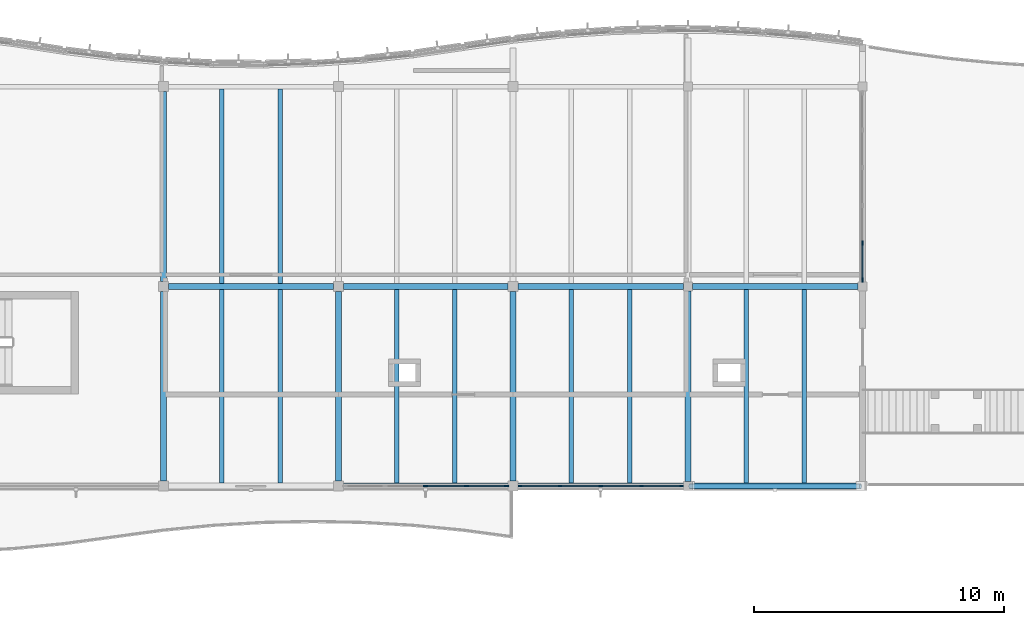
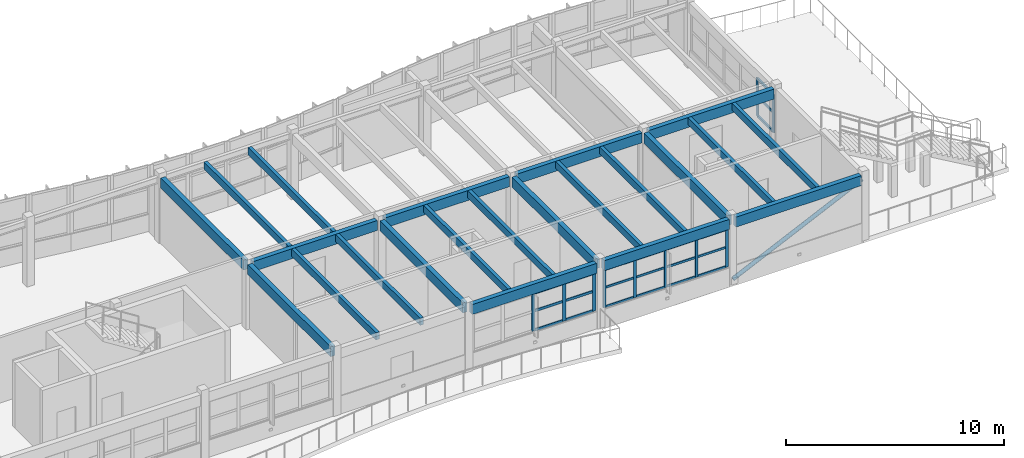
# One storey, part 18 of 52: 32 members, 22 beams, 3 elements without a shape of their own.
"""IFC4 building model written with IfcOpenShell, lengths in metres."""

from ifc_helpers import new_model, si_unit, direction, frame, origin, origin_2d, place, context, subcontext, project, spatial, rectangle, hollow_circle, extrude, material, layer, layer_set, material_profile, profile_set, type_object, element, aggregate, save


model = new_model("IFC4")

# Units and contexts
model_context = context("Model", 3, precision=1e-05, world=origin(), true_north=direction((0.0, 1.0)))
body_context = subcontext(model_context, "Body", "Model", "MODEL_VIEW")
ifc_project = project(units=[si_unit("LENGTHUNIT", "METRE"), si_unit("AREAUNIT", "SQUARE_METRE"), si_unit("VOLUMEUNIT", "CUBIC_METRE"), si_unit("PLANEANGLEUNIT", "RADIAN"), si_unit("MASSUNIT", "GRAM", prefix="KILO")], contexts=[model_context])

# Site, building, storey
site_placement = place(None, origin())
site = spatial("IfcSite", under=ifc_project, at=site_placement, CompositionType="ELEMENT")
building_placement = place(site_placement, origin())
building = spatial("IfcBuilding", under=site, at=building_placement, Name="Tonlespit Floodbar School", CompositionType="ELEMENT")
storey_placement = place(building_placement, frame((0.0, 0.0, 12.300048828125)))
storey = spatial("IfcBuildingStorey", under=building, at=storey_placement, Name="L03", CompositionType="ELEMENT", Elevation=12.300048828125)

# Beams
ifc_material_1 = material(Name="Glulam GL28h", Category="wood")
ifc_material_profile_1 = material_profile(ifc_material_1, rectangle(XDim=0.239990234375, YDim=0.56005859375, at=origin_2d()), Name="GL 240x560")
ifc_profile_set_1 = profile_set([ifc_material_profile_1], Name="Glulam GL28h")
beam_type_1 = type_object("IfcBeamType", Name="Beam_GL_240x560", PredefinedType="BEAM", material=ifc_profile_set_1)
beam_1_placement = place(storey_placement, frame((141.199951171875, 104.0, 3.364990234375), z_axis=(1.0, 0.0, 0.0), x_axis=(0.0, 1.0, 0.0)))
element("IfcBeam", 1, at=beam_1_placement, inside=storey, type_object=beam_type_1, Name="L03 girder 1178", PredefinedType="BEAM", context=body_context, shape_type="SweptSolid", body=[
    extrude(rectangle(XDim=0.239990234375, YDim=0.56005859375, at=origin_2d()), origin(), (0.0, 0.0, 1.0), 6.60009765625),
])
beam_2_placement = place(storey_placement, frame((148.199951171875, 104.0, 3.367919921875), z_axis=(1.0, 0.0, 0.0), x_axis=(0.0, 1.0, 0.0)))
element("IfcBeam", 2, at=beam_2_placement, inside=storey, type_object=beam_type_1, Name="L03 girder 1179", PredefinedType="BEAM", context=body_context, shape_type="SweptSolid", body=[
    extrude(rectangle(XDim=0.239990234375, YDim=0.56005859375, at=origin_2d()), origin(), (0.0, 0.0, 1.0), 6.6201171875),
])
beam_3_placement = place(storey_placement, frame((155.179931640625, 104.0, 3.367919921875), z_axis=(1.0, 0.0, 0.0), x_axis=(0.0, 1.0, 0.0)))
element("IfcBeam", 3, at=beam_3_placement, inside=storey, type_object=beam_type_1, Name="L03 girder 1180", PredefinedType="BEAM", context=body_context, shape_type="SweptSolid", body=[
    extrude(rectangle(XDim=0.239990234375, YDim=0.56005859375, at=origin_2d()), origin(), (0.0, 0.0, 1.0), 6.64013671875),
])
for number, where, z_axis, x_axis, name in (
    (4, (134.199951171875, 112.0, 3.364990234375), (1.0, 0.0, 0.0), (0.0, 1.0, 0.0), "L03 girder 1185"),
    (5, (141.199951171875, 112.0, 3.364990234375), (1.0, 0.0, 0.0), (0.0, 1.0, 0.0), "L03 girder 1186"),
):
    element("IfcBeam", number, at=place(storey_placement, frame(where, z_axis=z_axis, x_axis=x_axis)), inside=storey, type_object=beam_type_1, Name=name, PredefinedType="BEAM", context=body_context, shape_type="SweptSolid", body=[
        extrude(rectangle(XDim=0.239990234375, YDim=0.56005859375, at=origin_2d()), origin(), (0.0, 0.0, 1.0), 6.60009765625),
    ])
beam_4_placement = place(storey_placement, frame((148.199951171875, 112.0, 3.367919921875), z_axis=(1.0, 0.0, 0.0), x_axis=(0.0, 1.0, 0.0)))
element("IfcBeam", 6, at=beam_4_placement, inside=storey, type_object=beam_type_1, Name="L03 girder 1187", PredefinedType="BEAM", context=body_context, shape_type="SweptSolid", body=[
    extrude(rectangle(XDim=0.239990234375, YDim=0.56005859375, at=origin_2d()), origin(), (0.0, 0.0, 1.0), 6.6201171875),
])
beam_5_placement = place(storey_placement, frame((155.179931640625, 112.0, 3.367919921875), z_axis=(1.0, 0.0, 0.0), x_axis=(0.0, 1.0, 0.0)))
element("IfcBeam", 7, at=beam_5_placement, inside=storey, type_object=beam_type_1, Name="L03 girder 1188", PredefinedType="BEAM", context=body_context, shape_type="SweptSolid", body=[
    extrude(rectangle(XDim=0.239990234375, YDim=0.56005859375, at=origin_2d()), origin(), (0.0, 0.0, 1.0), 6.64013671875),
])
for number, where, z_axis, x_axis, name in (
    (8, (134.0, 104.199951171875, 3.364990234375), (0.0, 1.0, 0.0), (-1.0, 0.0, 0.0), "L03 girder 1234"),
    (9, (134.0, 112.199951171875, 3.364990234375), (0.0, 1.0, 0.0), (-1.0, 0.0, 0.0), "L03 girder 1235"),
    (10, (141.0, 104.199951171875, 3.364990234375), (0.0, 1.0, 0.0), (-1.0, 0.0, 0.0), "L03 girder 1236"),
    (11, (148.0, 104.199951171875, 3.364990234375), (0.0, 1.0, 0.0), (-1.0, 0.0, 0.0), "L03 girder 1238"),
):
    element("IfcBeam", number, at=place(storey_placement, frame(where, z_axis=z_axis, x_axis=x_axis)), inside=storey, type_object=beam_type_1, Name=name, PredefinedType="BEAM", context=body_context, shape_type="SweptSolid", body=[
        extrude(rectangle(XDim=0.239990234375, YDim=0.56005859375, at=origin_2d()), origin(), (0.0, 0.0, 1.0), 7.60009765625),
    ])
beam_6_placement = place(storey_placement, frame((155.0, 104.179931640625, 3.367919921875), z_axis=(0.0, 1.0, 0.0), x_axis=(-1.0, 0.0, 0.0)))
element("IfcBeam", 12, at=beam_6_placement, inside=storey, type_object=beam_type_1, Name="L03 girder 1240", PredefinedType="BEAM", context=body_context, shape_type="SweptSolid", body=[
    extrude(rectangle(XDim=0.239990234375, YDim=0.56005859375, at=origin_2d()), origin(), (0.0, 0.0, 1.0), 7.64013671875),
])

# Member
ifc_material_2 = material(Name="Steel S355", Category="steel")
ifc_material_profile_2 = material_profile(ifc_material_2, hollow_circle(Radius=0.109619140625, WallThickness=0.008056640625, at=origin_2d()), Name="CHS 219.1x8")
ifc_profile_set_2 = profile_set([ifc_material_profile_2], Name="Steel S355")
member_type_1 = type_object("IfcMemberType", Name="Brace_Ext_CHS219", PredefinedType="BRACE", material=ifc_profile_set_2)
member_1_placement = place(storey_placement, frame((155.080078125, 104.0, 0.14990234375), z_axis=(0.90577551888, 0.0, 0.423757842874), x_axis=(0.0, 1.0, 0.0)))
element("IfcMember", 13, at=member_1_placement, inside=storey, type_object=member_type_1, Name="L03 exposed deconstructivist lateral brace 5", PredefinedType="BRACE", context=body_context, shape_type="SweptSolid", body=[
    extrude(hollow_circle(Radius=0.109619140625, WallThickness=0.008056640625, at=origin_2d()), origin(), (0.0, 0.0, 1.0), 7.55126953125),
])

# Curtain wall, members
ifc_material_3 = material(Name="Anodised Aluminium", Category="aluminium")
ifc_layer_1 = layer(ifc_material_3, 0.159912109375)
ifc_layer_set_1 = layer_set([ifc_layer_1], Name="Anodised Aluminium")
curtain_wall_type_1 = type_object("IfcCurtainWallType", Name="CurtainWall_6550x2150", PredefinedType="NOTDEFINED", material=ifc_layer_set_1)
curtain_wall_1_placement = place(storey_placement, origin())
curtain_wall_1 = element("IfcCurtainWall", 14, at=curtain_wall_1_placement, inside=storey, type_object=curtain_wall_type_1, Name="L03 unitised curtain wall 0470", PredefinedType="NOTDEFINED")
ifc_material_profile_3 = material_profile(ifc_material_3, rectangle(XDim=0.06494140625, YDim=0.14990234375, at=origin_2d()), Name="ALU M65x150")
ifc_profile_set_3 = profile_set([ifc_material_profile_3], Name="Anodised Aluminium")
member_type_2 = type_object("IfcMemberType", Name="CW_Mullion_65x150", PredefinedType="MULLION", material=ifc_profile_set_3)
member_2_placement = place(storey_placement, frame((154.74755859375, 104.0, 0.949951171875), z_axis=(0.0, 0.0, 1.0), x_axis=(0.0, -1.0, 0.0)))
member_2 = element("IfcMember", 15, at=member_2_placement, type_object=member_type_2, Name="CW-66 mullion 1", PredefinedType="MULLION", context=body_context, shape_type="SweptSolid", body=[
    extrude(rectangle(XDim=0.06494140625, YDim=0.14990234375, at=origin_2d()), origin(), (0.0, 0.0, 1.0), 2.137939453125),
])
member_3_placement = place(storey_placement, frame((153.14501953125, 104.0, 0.949951171875), z_axis=(0.0, 0.0, 1.0), x_axis=(0.0, -1.0, 0.0)))
member_3 = element("IfcMember", 16, at=member_3_placement, type_object=member_type_2, Name="CW-66 mullion 2", PredefinedType="MULLION", context=body_context, shape_type="SweptSolid", body=[
    extrude(rectangle(XDim=0.06494140625, YDim=0.14990234375, at=origin_2d()), origin(), (0.0, 0.0, 1.0), 2.137939453125),
])
member_4_placement = place(storey_placement, frame((151.510009765625, 104.0, 0.949951171875), z_axis=(0.0, 0.0, 1.0), x_axis=(0.0, -1.0, 0.0)))
member_4 = element("IfcMember", 17, at=member_4_placement, type_object=member_type_2, Name="CW-66 mullion 3", PredefinedType="MULLION", context=body_context, shape_type="SweptSolid", body=[
    extrude(rectangle(XDim=0.06494140625, YDim=0.14990234375, at=origin_2d()), origin(), (0.0, 0.0, 1.0), 2.137939453125),
])
member_5_placement = place(storey_placement, frame((149.875, 104.0, 0.949951171875), z_axis=(0.0, 0.0, 1.0), x_axis=(0.0, -1.0, 0.0)))
member_5 = element("IfcMember", 18, at=member_5_placement, type_object=member_type_2, Name="CW-66 mullion 4", PredefinedType="MULLION", context=body_context, shape_type="SweptSolid", body=[
    extrude(rectangle(XDim=0.06494140625, YDim=0.14990234375, at=origin_2d()), origin(), (0.0, 0.0, 1.0), 2.137939453125),
])
member_6_placement = place(storey_placement, frame((148.2724609375, 104.0, 0.949951171875), z_axis=(0.0, 0.0, 1.0), x_axis=(0.0, -1.0, 0.0)))
member_6 = element("IfcMember", 19, at=member_6_placement, type_object=member_type_2, Name="CW-66 mullion 5", PredefinedType="MULLION", context=body_context, shape_type="SweptSolid", body=[
    extrude(rectangle(XDim=0.06494140625, YDim=0.14990234375, at=origin_2d()), origin(), (0.0, 0.0, 1.0), 2.137939453125),
])

ifc_layer_2 = layer(ifc_material_3, 0.159912109375)
ifc_layer_set_2 = layer_set([ifc_layer_2], Name="Anodised Aluminium")
curtain_wall_type_2 = type_object("IfcCurtainWallType", Name="CurtainWall_7550x2150", PredefinedType="NOTDEFINED", material=ifc_layer_set_2)
curtain_wall_2_placement = place(storey_placement, origin())
curtain_wall_2 = element("IfcCurtainWall", 20, at=curtain_wall_2_placement, inside=storey, type_object=curtain_wall_type_2, Name="L03 unitised curtain wall 0469", PredefinedType="NOTDEFINED")
ifc_material_profile_4 = material_profile(ifc_material_3, rectangle(XDim=0.06494140625, YDim=0.179931640625, at=origin_2d()), Name="ALU M65x180")
ifc_profile_set_4 = profile_set([ifc_material_profile_4], Name="Anodised Aluminium")
member_type_3 = type_object("IfcMemberType", Name="CW_Mullion_65x180", PredefinedType="MULLION", material=ifc_profile_set_4)
member_7_placement = place(storey_placement, frame((162.0, 113.73193359375, 0.949951171875), z_axis=(0.0, 0.0, 1.0), x_axis=(1.0, 0.0, 0.0)))
member_7 = element("IfcMember", 21, at=member_7_placement, type_object=member_type_3, Name="CW-37 mullion 5", PredefinedType="MULLION", context=body_context, shape_type="SweptSolid", body=[
    extrude(rectangle(XDim=0.06494140625, YDim=0.179931640625, at=origin_2d()), origin(), (0.0, 0.0, 1.0), 2.137939453125),
])
member_8_placement = place(storey_placement, frame((162.0, 112.25244140625, 0.949951171875), z_axis=(0.0, 0.0, 1.0), x_axis=(1.0, 0.0, 0.0)))
member_8 = element("IfcMember", 22, at=member_8_placement, type_object=member_type_3, Name="CW-37 mullion 6", PredefinedType="MULLION", context=body_context, shape_type="SweptSolid", body=[
    extrude(rectangle(XDim=0.06494140625, YDim=0.179931640625, at=origin_2d()), origin(), (0.0, 0.0, 1.0), 2.137939453125),
])

ifc_layer_3 = layer(ifc_material_3, 0.159912109375)
ifc_layer_set_3 = layer_set([ifc_layer_3], Name="Anodised Aluminium")
curtain_wall_type_3 = type_object("IfcCurtainWallType", Name="CurtainWall_6500x2150", PredefinedType="NOTDEFINED", material=ifc_layer_set_3)
curtain_wall_3_placement = place(storey_placement, origin())
curtain_wall_3 = element("IfcCurtainWall", 23, at=curtain_wall_3_placement, inside=storey, type_object=curtain_wall_type_3, Name="L03 unitised curtain wall 0471", PredefinedType="NOTDEFINED")
member_9_placement = place(storey_placement, frame((147.7275390625, 104.0, 0.949951171875), z_axis=(0.0, 0.0, 1.0), x_axis=(0.0, -1.0, 0.0)))
member_9 = element("IfcMember", 24, at=member_9_placement, type_object=member_type_3, Name="CW-67 mullion 1", PredefinedType="MULLION", context=body_context, shape_type="SweptSolid", body=[
    extrude(rectangle(XDim=0.06494140625, YDim=0.179931640625, at=origin_2d()), origin(), (0.0, 0.0, 1.0), 2.135009765625),
])
member_10_placement = place(storey_placement, frame((146.1298828125, 104.0, 0.949951171875), z_axis=(0.0, 0.0, 1.0), x_axis=(0.0, -1.0, 0.0)))
member_10 = element("IfcMember", 25, at=member_10_placement, type_object=member_type_3, Name="CW-67 mullion 2", PredefinedType="MULLION", context=body_context, shape_type="SweptSolid", body=[
    extrude(rectangle(XDim=0.06494140625, YDim=0.179931640625, at=origin_2d()), origin(), (0.0, 0.0, 1.0), 2.135009765625),
])
member_11_placement = place(storey_placement, frame((144.5, 104.0, 0.949951171875), z_axis=(0.0, 0.0, 1.0), x_axis=(0.0, -1.0, 0.0)))
member_11 = element("IfcMember", 26, at=member_11_placement, type_object=member_type_3, Name="CW-67 mullion 3", PredefinedType="MULLION", context=body_context, shape_type="SweptSolid", body=[
    extrude(rectangle(XDim=0.06494140625, YDim=0.179931640625, at=origin_2d()), origin(), (0.0, 0.0, 1.0), 2.135009765625),
])

# Member
ifc_material_profile_5 = material_profile(ifc_material_3, rectangle(XDim=0.06494140625, YDim=0.1201171875, at=origin_2d()), Name="ALU T65x120")
ifc_profile_set_5 = profile_set([ifc_material_profile_5], Name="Anodised Aluminium")
member_type_4 = type_object("IfcMemberType", Name="CW_Transom_65x120", PredefinedType="USERDEFINED", material=ifc_profile_set_5)
member_12_placement = place(storey_placement, frame((154.715087890625, 104.0, 0.982421875), z_axis=(-1.0, 0.0, 0.0), x_axis=(0.0, -1.0, 0.0)))
member_12 = element("IfcMember", 27, at=member_12_placement, type_object=member_type_4, Name="CW-66 transom 1.1", ObjectType="TRANSOM", PredefinedType="USERDEFINED", context=body_context, shape_type="SweptSolid", body=[
    extrude(rectangle(XDim=0.06494140625, YDim=0.1201171875, at=origin_2d()), origin(), (0.0, 0.0, 1.0), 1.53759765625),
])

member_13_placement = place(storey_placement, frame((154.715087890625, 104.0, 2.061767578125), z_axis=(-1.0, 0.0, 0.0), x_axis=(0.0, -1.0, 0.0)))
member_13 = element("IfcMember", 28, at=member_13_placement, type_object=member_type_4, Name="CW-66 transom 1.2", ObjectType="TRANSOM", PredefinedType="USERDEFINED", context=body_context, shape_type="SweptSolid", body=[
    extrude(rectangle(XDim=0.06494140625, YDim=0.1201171875, at=origin_2d()), origin(), (0.0, 0.0, 1.0), 1.53759765625),
])

member_14_placement = place(storey_placement, frame((154.715087890625, 104.0, 3.055419921875), z_axis=(-1.0, 0.0, 0.0), x_axis=(0.0, -1.0, 0.0)))
member_14 = element("IfcMember", 29, at=member_14_placement, type_object=member_type_4, Name="CW-66 transom 1.3", ObjectType="TRANSOM", PredefinedType="USERDEFINED", context=body_context, shape_type="SweptSolid", body=[
    extrude(rectangle(XDim=0.06494140625, YDim=0.1201171875, at=origin_2d()), origin(), (0.0, 0.0, 1.0), 1.53759765625),
])

member_15_placement = place(storey_placement, frame((153.112548828125, 104.0, 0.982421875), z_axis=(-1.0, 0.0, 0.0), x_axis=(0.0, -1.0, 0.0)))
member_15 = element("IfcMember", 30, at=member_15_placement, type_object=member_type_4, Name="CW-66 transom 2.1", ObjectType="TRANSOM", PredefinedType="USERDEFINED", context=body_context, shape_type="SweptSolid", body=[
    extrude(rectangle(XDim=0.06494140625, YDim=0.1201171875, at=origin_2d()), origin(), (0.0, 0.0, 1.0), 1.570068359375),
])

member_16_placement = place(storey_placement, frame((153.112548828125, 104.0, 2.061767578125), z_axis=(-1.0, 0.0, 0.0), x_axis=(0.0, -1.0, 0.0)))
member_16 = element("IfcMember", 31, at=member_16_placement, type_object=member_type_4, Name="CW-66 transom 2.2", ObjectType="TRANSOM", PredefinedType="USERDEFINED", context=body_context, shape_type="SweptSolid", body=[
    extrude(rectangle(XDim=0.06494140625, YDim=0.1201171875, at=origin_2d()), origin(), (0.0, 0.0, 1.0), 1.570068359375),
])

member_17_placement = place(storey_placement, frame((153.112548828125, 104.0, 3.055419921875), z_axis=(-1.0, 0.0, 0.0), x_axis=(0.0, -1.0, 0.0)))
member_17 = element("IfcMember", 32, at=member_17_placement, type_object=member_type_4, Name="CW-66 transom 2.3", ObjectType="TRANSOM", PredefinedType="USERDEFINED", context=body_context, shape_type="SweptSolid", body=[
    extrude(rectangle(XDim=0.06494140625, YDim=0.1201171875, at=origin_2d()), origin(), (0.0, 0.0, 1.0), 1.570068359375),
])

member_18_placement = place(storey_placement, frame((151.4775390625, 104.0, 0.982421875), z_axis=(-1.0, 0.0, 0.0), x_axis=(0.0, -1.0, 0.0)))
member_18 = element("IfcMember", 33, at=member_18_placement, type_object=member_type_4, Name="CW-66 transom 3.1", ObjectType="TRANSOM", PredefinedType="USERDEFINED", context=body_context, shape_type="SweptSolid", body=[
    extrude(rectangle(XDim=0.06494140625, YDim=0.1201171875, at=origin_2d()), origin(), (0.0, 0.0, 1.0), 1.570068359375),
])

member_19_placement = place(storey_placement, frame((151.4775390625, 104.0, 2.061767578125), z_axis=(-1.0, 0.0, 0.0), x_axis=(0.0, -1.0, 0.0)))
member_19 = element("IfcMember", 34, at=member_19_placement, type_object=member_type_4, Name="CW-66 transom 3.2", ObjectType="TRANSOM", PredefinedType="USERDEFINED", context=body_context, shape_type="SweptSolid", body=[
    extrude(rectangle(XDim=0.06494140625, YDim=0.1201171875, at=origin_2d()), origin(), (0.0, 0.0, 1.0), 1.570068359375),
])

member_20_placement = place(storey_placement, frame((151.4775390625, 104.0, 3.055419921875), z_axis=(-1.0, 0.0, 0.0), x_axis=(0.0, -1.0, 0.0)))
member_20 = element("IfcMember", 35, at=member_20_placement, type_object=member_type_4, Name="CW-66 transom 3.3", ObjectType="TRANSOM", PredefinedType="USERDEFINED", context=body_context, shape_type="SweptSolid", body=[
    extrude(rectangle(XDim=0.06494140625, YDim=0.1201171875, at=origin_2d()), origin(), (0.0, 0.0, 1.0), 1.570068359375),
])

member_21_placement = place(storey_placement, frame((149.842529296875, 104.0, 0.982421875), z_axis=(-1.0, 0.0, 0.0), x_axis=(0.0, -1.0, 0.0)))
member_21 = element("IfcMember", 36, at=member_21_placement, type_object=member_type_4, Name="CW-66 transom 4.1", ObjectType="TRANSOM", PredefinedType="USERDEFINED", context=body_context, shape_type="SweptSolid", body=[
    extrude(rectangle(XDim=0.06494140625, YDim=0.1201171875, at=origin_2d()), origin(), (0.0, 0.0, 1.0), 1.53759765625),
])

member_22_placement = place(storey_placement, frame((149.842529296875, 104.0, 2.061767578125), z_axis=(-1.0, 0.0, 0.0), x_axis=(0.0, -1.0, 0.0)))
member_22 = element("IfcMember", 37, at=member_22_placement, type_object=member_type_4, Name="CW-66 transom 4.2", ObjectType="TRANSOM", PredefinedType="USERDEFINED", context=body_context, shape_type="SweptSolid", body=[
    extrude(rectangle(XDim=0.06494140625, YDim=0.1201171875, at=origin_2d()), origin(), (0.0, 0.0, 1.0), 1.53759765625),
])

member_23_placement = place(storey_placement, frame((149.842529296875, 104.0, 3.055419921875), z_axis=(-1.0, 0.0, 0.0), x_axis=(0.0, -1.0, 0.0)))
member_23 = element("IfcMember", 38, at=member_23_placement, type_object=member_type_4, Name="CW-66 transom 4.3", ObjectType="TRANSOM", PredefinedType="USERDEFINED", context=body_context, shape_type="SweptSolid", body=[
    extrude(rectangle(XDim=0.06494140625, YDim=0.1201171875, at=origin_2d()), origin(), (0.0, 0.0, 1.0), 1.53759765625),
])

aggregate(curtain_wall_1, [member_2, member_3, member_4, member_5, member_6, member_12, member_13, member_14, member_15, member_16, member_17, member_18, member_19, member_20, member_21, member_22, member_23])

ifc_material_profile_6 = material_profile(ifc_material_3, rectangle(XDim=0.06494140625, YDim=0.139892578125, at=origin_2d()), Name="ALU T65x140")
ifc_profile_set_6 = profile_set([ifc_material_profile_6], Name="Anodised Aluminium")
member_type_5 = type_object("IfcMemberType", Name="CW_Transom_65x140", PredefinedType="USERDEFINED", material=ifc_profile_set_6)
member_24_placement = place(storey_placement, frame((162.0, 113.699462890625, 0.982421875), z_axis=(0.0, -1.0, 0.0), x_axis=(1.0, 0.0, 0.0)))
member_24 = element("IfcMember", 39, at=member_24_placement, type_object=member_type_5, Name="CW-37 transom 5.1", ObjectType="TRANSOM", PredefinedType="USERDEFINED", context=body_context, shape_type="SweptSolid", body=[
    extrude(rectangle(XDim=0.06494140625, YDim=0.139892578125, at=origin_2d()), origin(), (0.0, 0.0, 1.0), 1.41455078125),
])

member_25_placement = place(storey_placement, frame((162.0, 113.699462890625, 2.061767578125), z_axis=(0.0, -1.0, 0.0), x_axis=(1.0, 0.0, 0.0)))
member_25 = element("IfcMember", 40, at=member_25_placement, type_object=member_type_5, Name="CW-37 transom 5.2", ObjectType="TRANSOM", PredefinedType="USERDEFINED", context=body_context, shape_type="SweptSolid", body=[
    extrude(rectangle(XDim=0.06494140625, YDim=0.139892578125, at=origin_2d()), origin(), (0.0, 0.0, 1.0), 1.41455078125),
])

member_26_placement = place(storey_placement, frame((162.0, 113.699462890625, 3.055419921875), z_axis=(0.0, -1.0, 0.0), x_axis=(1.0, 0.0, 0.0)))
member_26 = element("IfcMember", 41, at=member_26_placement, type_object=member_type_5, Name="CW-37 transom 5.3", ObjectType="TRANSOM", PredefinedType="USERDEFINED", context=body_context, shape_type="SweptSolid", body=[
    extrude(rectangle(XDim=0.06494140625, YDim=0.139892578125, at=origin_2d()), origin(), (0.0, 0.0, 1.0), 1.41455078125),
])

aggregate(curtain_wall_2, [member_7, member_8, member_24, member_25, member_26])

member_27_placement = place(storey_placement, frame((147.695068359375, 104.0, 0.982421875), z_axis=(-1.0, 0.0, 0.0), x_axis=(0.0, -1.0, 0.0)))
member_27 = element("IfcMember", 42, at=member_27_placement, type_object=member_type_5, Name="CW-67 transom 1.1", ObjectType="TRANSOM", PredefinedType="USERDEFINED", context=body_context, shape_type="SweptSolid", body=[
    extrude(rectangle(XDim=0.06494140625, YDim=0.139892578125, at=origin_2d()), origin(), (0.0, 0.0, 1.0), 1.532470703125),
])

member_28_placement = place(storey_placement, frame((147.695068359375, 104.0, 2.06005859375), z_axis=(-1.0, 0.0, 0.0), x_axis=(0.0, -1.0, 0.0)))
member_28 = element("IfcMember", 43, at=member_28_placement, type_object=member_type_5, Name="CW-67 transom 1.2", ObjectType="TRANSOM", PredefinedType="USERDEFINED", context=body_context, shape_type="SweptSolid", body=[
    extrude(rectangle(XDim=0.06494140625, YDim=0.139892578125, at=origin_2d()), origin(), (0.0, 0.0, 1.0), 1.532470703125),
])

member_29_placement = place(storey_placement, frame((147.695068359375, 104.0, 3.052490234375), z_axis=(-1.0, 0.0, 0.0), x_axis=(0.0, -1.0, 0.0)))
member_29 = element("IfcMember", 44, at=member_29_placement, type_object=member_type_5, Name="CW-67 transom 1.3", ObjectType="TRANSOM", PredefinedType="USERDEFINED", context=body_context, shape_type="SweptSolid", body=[
    extrude(rectangle(XDim=0.06494140625, YDim=0.139892578125, at=origin_2d()), origin(), (0.0, 0.0, 1.0), 1.532470703125),
])

member_30_placement = place(storey_placement, frame((146.097412109375, 104.0, 0.982421875), z_axis=(-1.0, 0.0, 0.0), x_axis=(0.0, -1.0, 0.0)))
member_30 = element("IfcMember", 45, at=member_30_placement, type_object=member_type_5, Name="CW-67 transom 2.1", ObjectType="TRANSOM", PredefinedType="USERDEFINED", context=body_context, shape_type="SweptSolid", body=[
    extrude(rectangle(XDim=0.06494140625, YDim=0.139892578125, at=origin_2d()), origin(), (0.0, 0.0, 1.0), 1.56494140625),
])

member_31_placement = place(storey_placement, frame((146.097412109375, 104.0, 2.06005859375), z_axis=(-1.0, 0.0, 0.0), x_axis=(0.0, -1.0, 0.0)))
member_31 = element("IfcMember", 46, at=member_31_placement, type_object=member_type_5, Name="CW-67 transom 2.2", ObjectType="TRANSOM", PredefinedType="USERDEFINED", context=body_context, shape_type="SweptSolid", body=[
    extrude(rectangle(XDim=0.06494140625, YDim=0.139892578125, at=origin_2d()), origin(), (0.0, 0.0, 1.0), 1.56494140625),
])

member_32_placement = place(storey_placement, frame((146.097412109375, 104.0, 3.052490234375), z_axis=(-1.0, 0.0, 0.0), x_axis=(0.0, -1.0, 0.0)))
member_32 = element("IfcMember", 47, at=member_32_placement, type_object=member_type_5, Name="CW-67 transom 2.3", ObjectType="TRANSOM", PredefinedType="USERDEFINED", context=body_context, shape_type="SweptSolid", body=[
    extrude(rectangle(XDim=0.06494140625, YDim=0.139892578125, at=origin_2d()), origin(), (0.0, 0.0, 1.0), 1.56494140625),
])

aggregate(curtain_wall_3, [member_9, member_10, member_11, member_27, member_28, member_29, member_30, member_31, member_32])

# Beams
ifc_material_profile_7 = material_profile(ifc_material_1, rectangle(XDim=0.179931640625, YDim=0.39990234375, at=origin_2d()), Name="GL 180x400")
ifc_profile_set_7 = profile_set([ifc_material_profile_7], Name="Glulam GL28h")
beam_type_2 = type_object("IfcBeamType", Name="Joist_GL_180x400", PredefinedType="JOIST", material=ifc_profile_set_7)
for number, where, z_axis, x_axis, name in (
    (48, (136.333251953125, 104.1201171875, 3.445068359375), (0.0, 1.0, 0.0), (-1.0, 0.0, 0.0), "L03 secondary joist 1255"),
    (49, (138.666748046875, 104.1201171875, 3.445068359375), (0.0, 1.0, 0.0), (-1.0, 0.0, 0.0), "L03 secondary joist 1256"),
    (50, (143.333251953125, 104.1201171875, 3.445068359375), (0.0, 1.0, 0.0), (-1.0, 0.0, 0.0), "L03 secondary joist 1257"),
    (51, (145.666748046875, 104.1201171875, 3.445068359375), (0.0, 1.0, 0.0), (-1.0, 0.0, 0.0), "L03 secondary joist 1258"),
    (52, (150.333251953125, 104.1201171875, 3.447998046875), (0.0, 1.0, 0.0), (-1.0, 0.0, 0.0), "L03 secondary joist 1259"),
    (53, (152.666748046875, 104.1201171875, 3.447998046875), (0.0, 1.0, 0.0), (-1.0, 0.0, 0.0), "L03 secondary joist 1260"),
    (54, (157.333251953125, 104.1201171875, 3.447998046875), (0.0, 1.0, 0.0), (-1.0, 0.0, 0.0), "L03 secondary joist 1261"),
    (55, (159.666748046875, 104.1201171875, 3.447998046875), (0.0, 1.0, 0.0), (-1.0, 0.0, 0.0), "L03 secondary joist 1262"),
):
    element("IfcBeam", number, at=place(storey_placement, frame(where, z_axis=z_axis, x_axis=x_axis)), inside=storey, type_object=beam_type_2, Name=name, PredefinedType="JOIST", context=body_context, shape_type="SweptSolid", body=[
        extrude(rectangle(XDim=0.179931640625, YDim=0.39990234375, at=origin_2d()), origin(), (0.0, 0.0, 1.0), 7.759765625),
    ])
for number, where, z_axis, x_axis, name in (
    (56, (136.333251953125, 112.1201171875, 3.445068359375), (0.0, 1.0, 0.0), (-1.0, 0.0, 0.0), "L03 secondary joist 1271"),
    (57, (138.666748046875, 112.1201171875, 3.445068359375), (0.0, 1.0, 0.0), (-1.0, 0.0, 0.0), "L03 secondary joist 1272"),
):
    element("IfcBeam", number, at=place(storey_placement, frame(where, z_axis=z_axis, x_axis=x_axis)), inside=storey, type_object=beam_type_2, Name=name, PredefinedType="JOIST", context=body_context, shape_type="SweptSolid", body=[
        extrude(rectangle(XDim=0.179931640625, YDim=0.39990234375, at=origin_2d()), origin(), (0.0, 0.0, 1.0), 7.794921875),
    ])

save(model, "model.ifc")
